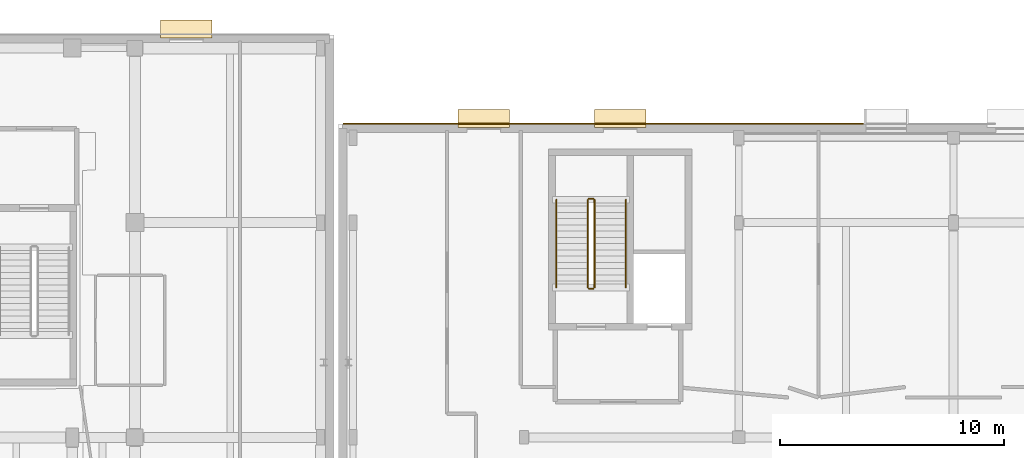
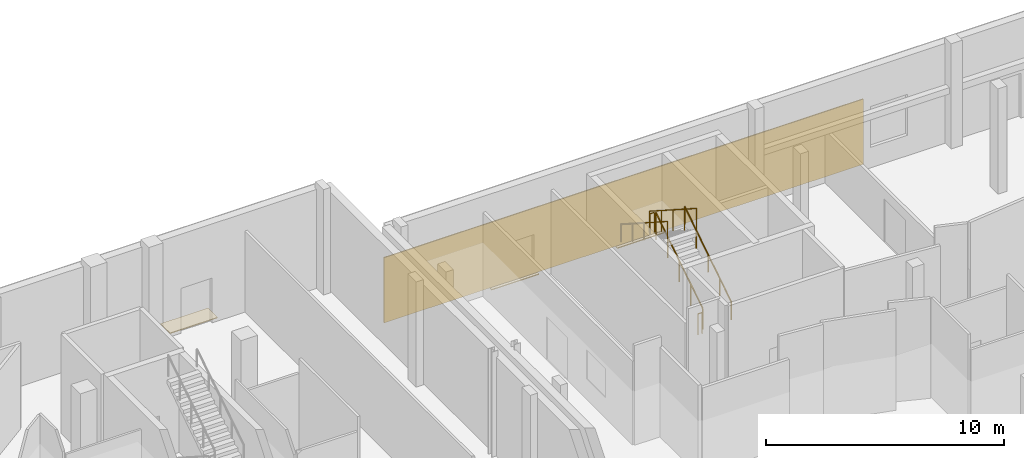
# One storey, part 72 of 84: 6 railings, 4 coverings.
"""IFC4 building model written with IfcOpenShell, lengths in metres."""

from ifc_helpers import new_model, si_unit, direction, frame, origin, origin_2d, place, context, subcontext, project, spatial, rectangle, circle, extrude, material, layer, layer_set, type_object, element, save


model = new_model("IFC4")

# Units and contexts
model_context = context("Model", 3, precision=1e-05, world=origin(), true_north=direction((0.0, 1.0)))
body_context = subcontext(model_context, "Body", "Model", "MODEL_VIEW")
ifc_project = project(units=[si_unit("LENGTHUNIT", "METRE"), si_unit("AREAUNIT", "SQUARE_METRE"), si_unit("VOLUMEUNIT", "CUBIC_METRE"), si_unit("PLANEANGLEUNIT", "RADIAN"), si_unit("MASSUNIT", "GRAM", prefix="KILO")], contexts=[model_context])

# Site, building, storey
site_placement = place(None, origin())
site = spatial("IfcSite", under=ifc_project, at=site_placement, CompositionType="ELEMENT")
building_placement = place(site_placement, origin())
building = spatial("IfcBuilding", under=site, at=building_placement, Name="Mzevani Central Library", CompositionType="ELEMENT")
storey_placement = place(building_placement, origin())
storey = spatial("IfcBuildingStorey", under=building, at=storey_placement, Name="L00", CompositionType="ELEMENT", Elevation=0.0)

# Railings
ifc_material_1 = material(Name="Brushed stainless steel rail", Category="steel")
railing_type_1 = type_object("IfcRailingType", Name="Interior Gallery and Stair Guard 1100", PredefinedType="BALUSTRADE", material=ifc_material_1)
railing_1_placement = place(storey_placement, frame((57.550048828125, 106.699951171875, 0.179931640625)))
element("IfcRailing", 1, at=railing_1_placement, inside=storey, type_object=railing_type_1, Name="L00 ST-05 stair guard 1", PredefinedType="BALUSTRADE", context=body_context, shape_type="SweptSolid", body=[
    extrude(circle(Radius=0.02392578125, at=origin_2d()), frame((0.0, 0.0, 1.076171875), z_axis=(0.0, 0.841186985886, 0.540744352514), x_axis=(-1.0, 0.0, 0.0)), (0.0, 0.0, 1.0), 4.660400390625),
    extrude(circle(Radius=0.02099609375, at=origin_2d()), origin(), (0.0, 0.0, 1.0), 1.052001953125),
    extrude(circle(Radius=0.02099609375, at=origin_2d()), frame((0.0, 0.97998046875, 0.6298828125)), (0.0, 0.0, 1.0), 1.052001953125),
    extrude(circle(Radius=0.02099609375, at=origin_2d()), frame((0.0, 1.9599609375, 1.260009765625)), (0.0, 0.0, 1.0), 1.052001953125),
    extrude(circle(Radius=0.02099609375, at=origin_2d()), frame((0.0, 2.940185546875, 1.89013671875)), (0.0, 0.0, 1.0), 1.052001953125),
    extrude(circle(Radius=0.02099609375, at=origin_2d()), frame((0.0, 3.920166015625, 2.52001953125)), (0.0, 0.0, 1.0), 1.052001953125),
])
railing_2_placement = place(storey_placement, frame((57.5, 110.669921875, 2.699951171875)))
element("IfcRailing", 2, at=railing_2_placement, inside=storey, type_object=railing_type_1, Name="L00 ST-05 stair guard 2", PredefinedType="BALUSTRADE", context=body_context, shape_type="SweptSolid", body=[
    extrude(circle(Radius=0.02392578125, at=origin_2d()), frame((0.0, 0.0, 1.076171875), z_axis=(-1.0, 0.0, 0.0), x_axis=(0.0, -1.0, 0.0)), (0.0, 0.0, 1.0), 0.199951171875),
    extrude(circle(Radius=0.02099609375, at=origin_2d()), origin(), (0.0, 0.0, 1.0), 1.052001953125),
    extrude(circle(Radius=0.02099609375, at=origin_2d()), frame((-0.199951171875, 0.0, 0.0)), (0.0, 0.0, 1.0), 1.052001953125),
])
railing_3_placement = place(storey_placement, frame((57.25, 110.6201171875, 2.8798828125)))
element("IfcRailing", 3, at=railing_3_placement, inside=storey, type_object=railing_type_1, Name="L00 ST-05 stair guard 3", PredefinedType="BALUSTRADE", context=body_context, shape_type="SweptSolid", body=[
    extrude(circle(Radius=0.02392578125, at=origin_2d()), frame((0.0, 0.0, 1.076171875), z_axis=(0.0, -0.841186985886, 0.540744352514), x_axis=(1.0, 0.0, 0.0)), (0.0, 0.0, 1.0), 4.660400390625),
    extrude(circle(Radius=0.02099609375, at=origin_2d()), origin(), (0.0, 0.0, 1.0), 1.052001953125),
    extrude(circle(Radius=0.02099609375, at=origin_2d()), frame((0.0, -0.97998046875, 0.6298828125)), (0.0, 0.0, 1.0), 1.052001953125),
    extrude(circle(Radius=0.02099609375, at=origin_2d()), frame((0.0, -1.9599609375, 1.260009765625)), (0.0, 0.0, 1.0), 1.052001953125),
    extrude(circle(Radius=0.02099609375, at=origin_2d()), frame((0.0, -2.940185546875, 1.89013671875)), (0.0, 0.0, 1.0), 1.052001953125),
    extrude(circle(Radius=0.02099609375, at=origin_2d()), frame((0.0, -3.920166015625, 2.52001953125)), (0.0, 0.0, 1.0), 1.052001953125),
])
railing_4_placement = place(storey_placement, frame((57.5, 106.64990234375, 0.0)))
element("IfcRailing", 4, at=railing_4_placement, inside=storey, type_object=railing_type_1, Name="L00 ST-05 stair guard 4", PredefinedType="BALUSTRADE", context=body_context, shape_type="SweptSolid", body=[
    extrude(circle(Radius=0.02392578125, at=origin_2d()), frame((0.0, 0.0, 1.076171875), z_axis=(-1.0, 0.0, 0.0), x_axis=(0.0, -1.0, 0.0)), (0.0, 0.0, 1.0), 0.199951171875),
    extrude(circle(Radius=0.02099609375, at=origin_2d()), origin(), (0.0, 0.0, 1.0), 1.052001953125),
    extrude(circle(Radius=0.02099609375, at=origin_2d()), frame((-0.199951171875, 0.0, 0.0)), (0.0, 0.0, 1.0), 1.052001953125),
])

# Covering
ifc_material_2 = material(Name="Limestone ashlar cladding", Category="masonry")
ifc_layer_1 = layer(ifc_material_2, 0.050048828125, Name="Limestone Ashlar Spandrel Cladding")
ifc_layer_set_1 = layer_set([ifc_layer_1], Name="Limestone ashlar cladding")
covering_type_1 = type_object("IfcCoveringType", Name="Limestone Ashlar Spandrel Cladding", PredefinedType="CLADDING", material=ifc_layer_set_1)
covering_placement = place(storey_placement, frame((57.9423828125, 114.02392578125, 0.0), z_axis=(0.0, 0.0, 1.0), x_axis=(1.0, 0.0, 0.0)))
element("IfcCovering", 5, at=covering_placement, inside=storey, type_object=covering_type_1, Name="L00 Warm-White Facade Pier 1 (EW4-V3-L00-0041)", PredefinedType="CLADDING", context=body_context, shape_type="SweptSolid", body=[
    extrude(rectangle(XDim=23.264892578125, YDim=0.050048828125, at=origin_2d()), origin(), (0.0, 0.0, 1.0), 3.35009765625),
])

# Railings
railing_type_2 = type_object("IfcRailingType", Name="Stair Wall Handrail 920", PredefinedType="HANDRAIL", material=ifc_material_1)
railing_5_placement = place(storey_placement, frame((58.949951171875, 106.699951171875, 0.179931640625)))
element("IfcRailing", 6, at=railing_5_placement, inside=storey, type_object=railing_type_2, Name="L00 ST-05 stair handrail 1", PredefinedType="HANDRAIL", context=body_context, shape_type="SweptSolid", body=[
    extrude(circle(Radius=0.02392578125, at=origin_2d()), frame((0.0, 0.0, 0.89599609375), z_axis=(0.0, 0.841186985886, 0.540744352514), x_axis=(-1.0, 0.0, 0.0)), (0.0, 0.0, 1.0), 4.660400390625),
    extrude(circle(Radius=0.02099609375, at=origin_2d()), origin(), (0.0, 0.0, 1.0), 0.871826171875),
    extrude(circle(Radius=0.02099609375, at=origin_2d()), frame((0.0, 0.97998046875, 0.6298828125)), (0.0, 0.0, 1.0), 0.871826171875),
    extrude(circle(Radius=0.02099609375, at=origin_2d()), frame((0.0, 1.9599609375, 1.260009765625)), (0.0, 0.0, 1.0), 0.871826171875),
    extrude(circle(Radius=0.02099609375, at=origin_2d()), frame((0.0, 2.940185546875, 1.89013671875)), (0.0, 0.0, 1.0), 0.871826171875),
    extrude(circle(Radius=0.02099609375, at=origin_2d()), frame((0.0, 3.920166015625, 2.52001953125)), (0.0, 0.0, 1.0), 0.871826171875),
])
railing_6_placement = place(storey_placement, frame((55.85009765625, 110.6201171875, 2.8798828125)))
element("IfcRailing", 7, at=railing_6_placement, inside=storey, type_object=railing_type_2, Name="L00 ST-05 stair handrail 2", PredefinedType="HANDRAIL", context=body_context, shape_type="SweptSolid", body=[
    extrude(circle(Radius=0.02392578125, at=origin_2d()), frame((0.0, 0.0, 0.89599609375), z_axis=(0.0, -0.841186985886, 0.540744352514), x_axis=(1.0, 0.0, 0.0)), (0.0, 0.0, 1.0), 4.660400390625),
    extrude(circle(Radius=0.02099609375, at=origin_2d()), origin(), (0.0, 0.0, 1.0), 0.871826171875),
    extrude(circle(Radius=0.02099609375, at=origin_2d()), frame((0.0, -0.97998046875, 0.6298828125)), (0.0, 0.0, 1.0), 0.871826171875),
    extrude(circle(Radius=0.02099609375, at=origin_2d()), frame((0.0, -1.9599609375, 1.260009765625)), (0.0, 0.0, 1.0), 0.871826171875),
    extrude(circle(Radius=0.02099609375, at=origin_2d()), frame((0.0, -2.940185546875, 1.89013671875)), (0.0, 0.0, 1.0), 0.871826171875),
    extrude(circle(Radius=0.02099609375, at=origin_2d()), frame((0.0, -3.920166015625, 2.52001953125)), (0.0, 0.0, 1.0), 0.871826171875),
])

# Coverings
ifc_material_3 = material(Name="Terrazzo stone flooring", Category="masonry")
ifc_layer_2 = layer(ifc_material_3, 0.030029296875, Name="Terrazzo Stone Floor Finish")
ifc_layer_set_2 = layer_set([ifc_layer_2], Name="Terrazzo stone flooring")
covering_type_2 = type_object("IfcCoveringType", Name="Terrazzo Stone Floor Finish", PredefinedType="FLOORING", material=ifc_layer_set_2)
for number, where, z_axis, x_axis, name in (
    (8, (39.300048828125, 118.260009765625, -0.0400390625), (0.0, 0.0, 1.0), (1.0, 0.0, 0.0), "L00 V2 Protected Exit Corridor Final Discharge Apron"),
    (9, (52.60498046875, 114.260009765625, -0.0400390625), (0.0, 0.0, 1.0), (1.0, 0.0, 0.0), "L00 V3 Protected Exit Corridor Final Discharge Apron"),
    (10, (58.699951171875, 114.260009765625, -0.0400390625), (0.0, 0.0, 1.0), (1.0, 0.0, 0.0), "L00 ST-05 Final Exit Discharge Apron"),
):
    element("IfcCovering", number, at=place(storey_placement, frame(where, z_axis=z_axis, x_axis=x_axis)), inside=storey, type_object=covering_type_2, Name=name, PredefinedType="FLOORING", context=body_context, shape_type="SweptSolid", body=[
        extrude(rectangle(XDim=2.300048828125, YDim=0.800048828125, at=origin_2d()), origin(), (0.0, 0.0, 1.0), 0.0400390625),
    ])

save(model, "model.ifc")
